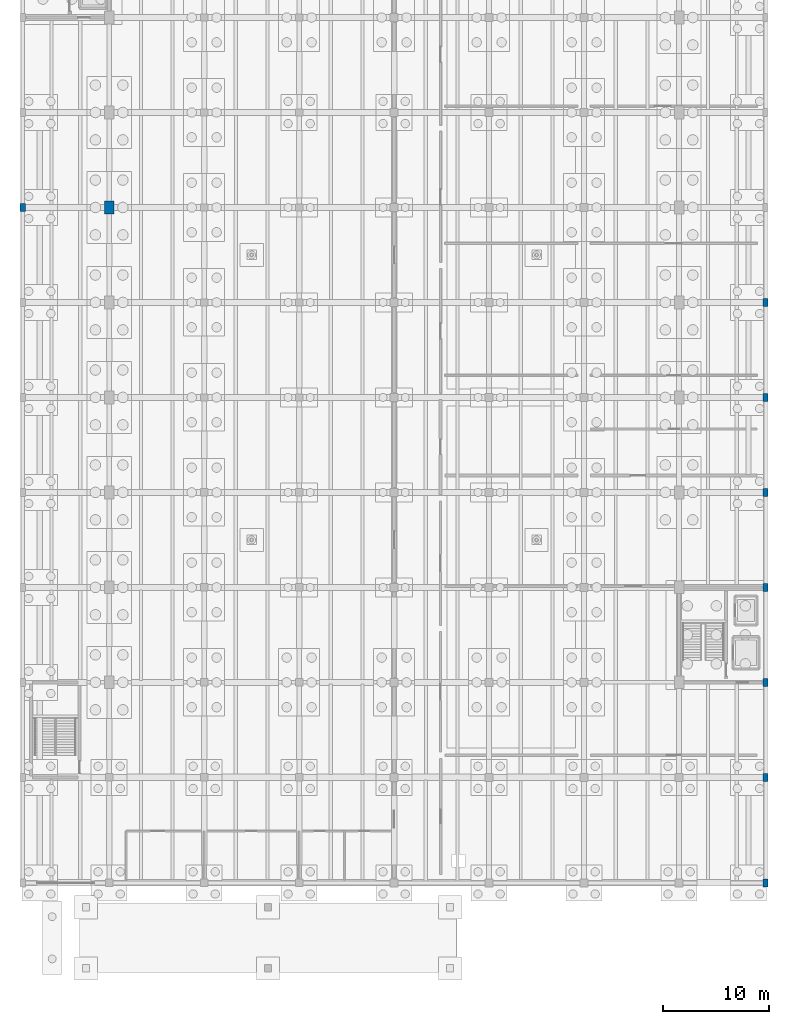
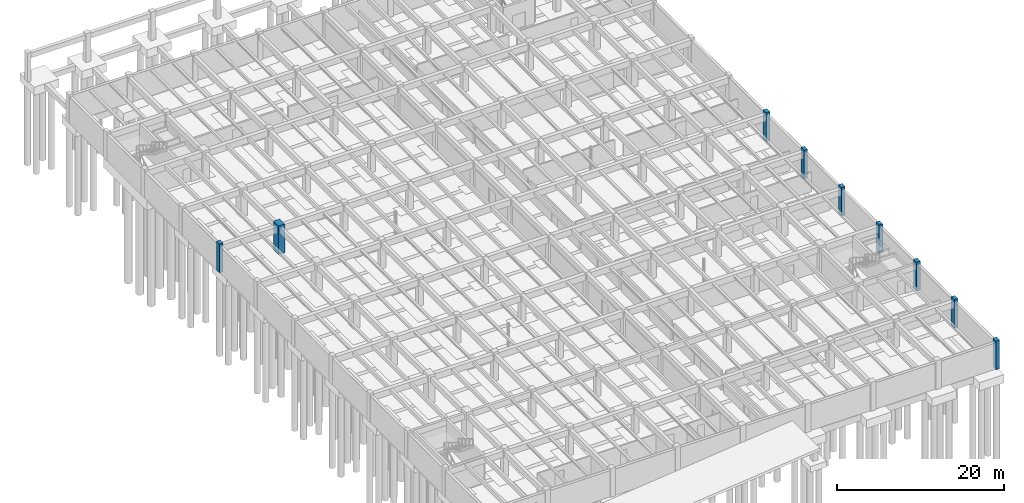
# One storey, part 8 of 23: 9 columns.
"""IFC4 building model written with IfcOpenShell, lengths in metres."""

from ifc_helpers import new_model, si_unit, direction, frame, origin, origin_2d, place, context, subcontext, project, spatial, rectangle, extrude, material, material_profile, profile_set, type_object, element, save


model = new_model("IFC4")

# Units and contexts
model_context = context("Model", 3, precision=1e-05, world=origin(), true_north=direction((0.0, 1.0)))
body_context = subcontext(model_context, "Body", "Model", "MODEL_VIEW")
ifc_project = project(units=[si_unit("LENGTHUNIT", "METRE"), si_unit("AREAUNIT", "SQUARE_METRE"), si_unit("VOLUMEUNIT", "CUBIC_METRE"), si_unit("PLANEANGLEUNIT", "RADIAN"), si_unit("MASSUNIT", "GRAM", prefix="KILO")], contexts=[model_context])

# Site, building, storey
site_placement = place(None, origin())
site = spatial("IfcSite", under=ifc_project, at=site_placement, CompositionType="ELEMENT")
building_placement = place(site_placement, origin())
building = spatial("IfcBuilding", under=site, at=building_placement, Name="Ornek Quay Market", CompositionType="ELEMENT")
storey_placement = place(building_placement, frame((0.0, 0.0, -4.199951171875)))
storey = spatial("IfcBuildingStorey", under=building, at=storey_placement, Name="B1", CompositionType="ELEMENT", Elevation=-4.199951171875)

# Columns
ifc_material_1 = material(Name="Concrete C45/55", Category="concrete")
ifc_material_profile_1 = material_profile(ifc_material_1, rectangle(XDim=0.89990234375, YDim=1.199951171875, at=origin_2d()), Name="RC 900x1200", Category="concrete")
ifc_profile_set_1 = profile_set([ifc_material_profile_1], Name="Concrete C45/55")
column_type_1 = type_object("IfcColumnType", Name="COL-ARCH-900x1200", PredefinedType="COLUMN", material=ifc_profile_set_1)
column_placement = place(storey_placement, frame((63.0, 74.0, 0.0), z_axis=(0.0, 0.0, 1.0), x_axis=(1.0, 0.0, 0.0)))
element("IfcColumn", 1, at=column_placement, inside=storey, type_object=column_type_1, Name="Column C-AR1-009", PredefinedType="COLUMN", context=body_context, shape_type="SweptSolid", body=[
    extrude(rectangle(XDim=0.89990234375, YDim=1.199951171875, at=origin_2d()), origin(), (0.0, 0.0, 1.0), 4.199951171875),
])
ifc_material_2 = material(Name="Concrete C40/50", Category="concrete")
ifc_material_profile_2 = material_profile(ifc_material_2, rectangle(XDim=0.5, YDim=0.75, at=origin_2d()), Name="RC 500x750", Category="concrete")
ifc_profile_set_2 = profile_set([ifc_material_profile_2], Name="Concrete C40/50")
column_type_2 = type_object("IfcColumnType", Name="COL-MJ-500x750", PredefinedType="COLUMN", material=ifc_profile_set_2)
for number, where, z_axis, x_axis, name in (
    (2, (54.800048828125, 74.0, 0.0), (0.0, 0.0, 1.0), (1.0, 0.0, 0.0), "Column C-MJ1-020"),
    (3, (125.199951171875, 10.0, 0.0), (0.0, 0.0, 1.0), (1.0, 0.0, 0.0), "Column C-MJ1-031"),
    (4, (125.199951171875, 20.0, 0.0), (0.0, 0.0, 1.0), (1.0, 0.0, 0.0), "Column C-MJ1-033"),
    (5, (125.199951171875, 29.0, 0.0), (0.0, 0.0, 1.0), (1.0, 0.0, 0.0), "Column C-MJ1-035"),
    (6, (125.199951171875, 38.0, 0.0), (0.0, 0.0, 1.0), (1.0, 0.0, 0.0), "Column C-MJ1-037"),
    (7, (125.199951171875, 47.0, 0.0), (0.0, 0.0, 1.0), (1.0, 0.0, 0.0), "Column C-MJ1-039"),
    (8, (125.199951171875, 56.0, 0.0), (0.0, 0.0, 1.0), (1.0, 0.0, 0.0), "Column C-MJ1-041"),
    (9, (125.199951171875, 65.0, 0.0), (0.0, 0.0, 1.0), (1.0, 0.0, 0.0), "Column C-MJ1-043"),
):
    element("IfcColumn", number, at=place(storey_placement, frame(where, z_axis=z_axis, x_axis=x_axis)), inside=storey, type_object=column_type_2, Name=name, PredefinedType="COLUMN", context=body_context, shape_type="SweptSolid", body=[
        extrude(rectangle(XDim=0.5, YDim=0.75, at=origin_2d()), origin(), (0.0, 0.0, 1.0), 4.199951171875),
    ])

save(model, "model.ifc")
